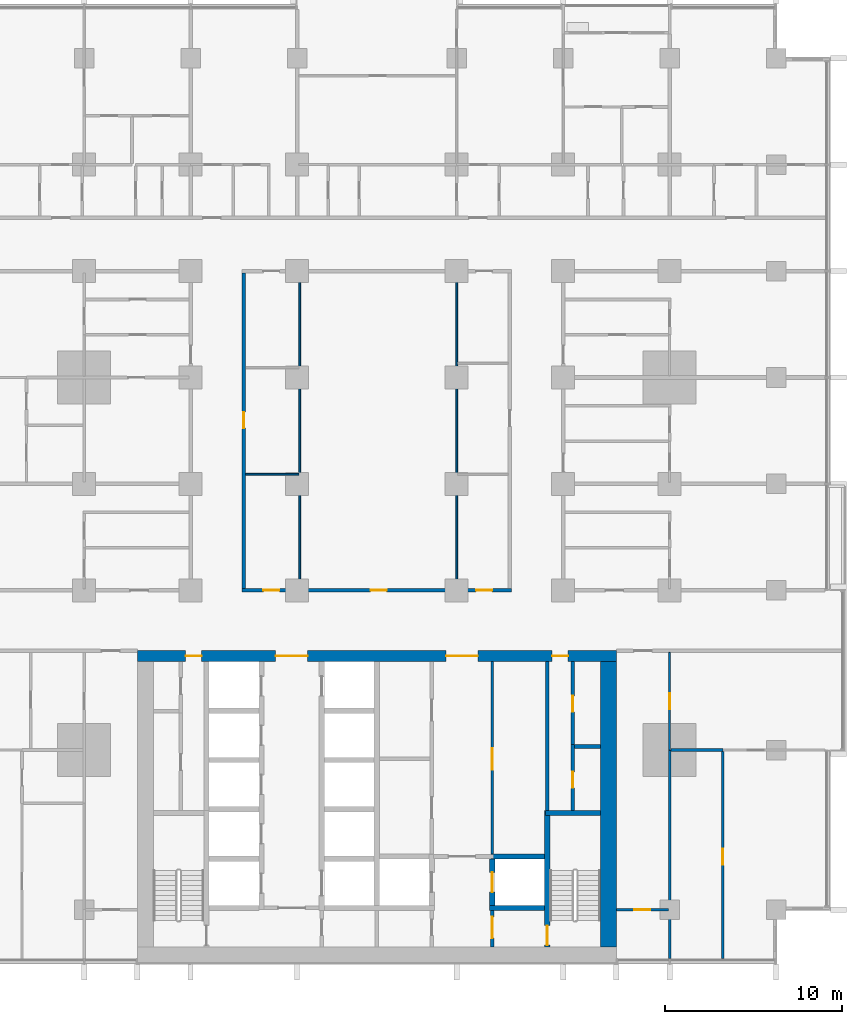
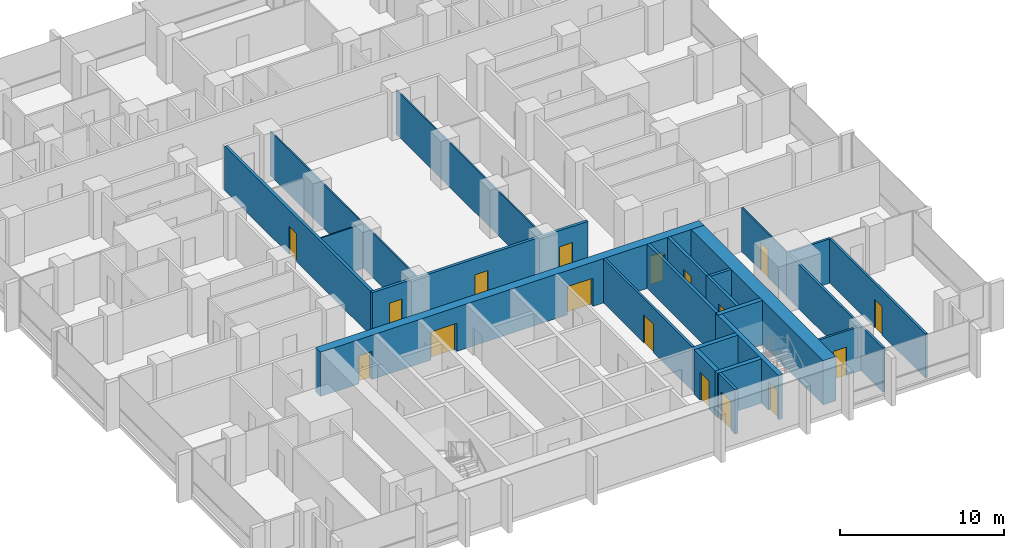
# One storey, part 9 of 18: 23 walls, 17 doors, 17 openings.
"""IFC4 building model written with IfcOpenShell, lengths in metres."""

from ifc_helpers import new_model, si_unit, direction, frame, frame_2d, origin, place, context, subcontext, project, spatial, rectangle, extrude, material, layer, layer_set, type_object, element, fill, save


model = new_model("IFC4")

# Units and contexts
model_context = context("Model", 3, precision=1e-05, world=origin(), true_north=direction((0.0, 1.0)))
body_context = subcontext(model_context, "Body", "Model", "MODEL_VIEW")
ifc_project = project(units=[si_unit("LENGTHUNIT", "METRE"), si_unit("AREAUNIT", "SQUARE_METRE"), si_unit("VOLUMEUNIT", "CUBIC_METRE"), si_unit("PLANEANGLEUNIT", "RADIAN"), si_unit("MASSUNIT", "GRAM", prefix="KILO")], contexts=[model_context])

# Site, building, storey
site_placement = place(None, origin())
site = spatial("IfcSite", under=ifc_project, at=site_placement, CompositionType="ELEMENT")
building_placement = place(site_placement, origin())
building = spatial("IfcBuilding", under=site, at=building_placement, Name="Finial Court Residences", CompositionType="ELEMENT")
storey_placement = place(building_placement, frame((0.0, 0.0, 46.89990234375)))
storey = spatial("IfcBuildingStorey", under=building, at=storey_placement, Name="L10", CompositionType="ELEMENT", Elevation=46.89990234375)

# Wall, openings, doors
ifc_material_1 = material(Name="Concrete C80/95", Category="concrete")
ifc_layer_1 = layer(ifc_material_1, 0.60009765625)
ifc_layer_set_1 = layer_set([ifc_layer_1], Name="Core outer wall 600 Concrete C80/95")
wall_type_1 = type_object("IfcWallType", Name="Core outer wall 600 Concrete C80/95", PredefinedType="SHEAR", material=ifc_layer_set_1)
wall_1_placement = place(storey_placement, frame((-13.5, -8.199951171875, 0.0), z_axis=(0.0, 0.0, 1.0), x_axis=(1.0, 0.0, 0.0)))
wall_1 = element("IfcWall", 1, at=wall_1_placement, inside=storey, type_object=wall_type_1, Name="Core outer wall L10-02", PredefinedType="SHEAR", context=body_context, shape_type="SweptSolid", body=[
    extrude(rectangle(XDim=27.0, YDim=0.60009765625, at=frame_2d((13.5, 0.0))), origin(), (0.0, 0.0, 1.0), 3.300048828125),
])
opening_1_placement = place(wall_1_placement, frame((7.800048828125, 0.0, 0.0)))
opening_1 = element("IfcOpeningElement", 2, at=opening_1_placement, cuts=wall_1, Name="Opening L10-C04", PredefinedType="OPENING", context=body_context, shape_type="SweptSolid", body=[
    extrude(rectangle(XDim=1.800048828125, YDim=2.10009765625, at=frame_2d((0.89990234375, 1.050048828125))), frame((0.0, 0.31005859375, 0.0), z_axis=(0.0, -1.0, 0.0), x_axis=(1.0, 0.0, 0.0)), (0.0, 0.0, 1.0), 0.6201171875),
])
opening_2_placement = place(wall_1_placement, frame((17.39990234375, 0.0, 0.0)))
opening_2 = element("IfcOpeningElement", 3, at=opening_2_placement, cuts=wall_1, Name="Opening L10-C05", PredefinedType="OPENING", context=body_context, shape_type="SweptSolid", body=[
    extrude(rectangle(XDim=1.800048828125, YDim=2.10009765625, at=frame_2d((0.89990234375, 1.050048828125))), frame((0.0, 0.31005859375, 0.0), z_axis=(0.0, -1.0, 0.0), x_axis=(1.0, 0.0, 0.0)), (0.0, 0.0, 1.0), 0.6201171875),
])
opening_3_placement = place(wall_1_placement, frame((2.72509765625, 0.0, 0.0)))
opening_3 = element("IfcOpeningElement", 4, at=opening_3_placement, cuts=wall_1, Name="Opening L10-C11", PredefinedType="OPENING", context=body_context, shape_type="SweptSolid", body=[
    extrude(rectangle(XDim=0.89990234375, YDim=2.10009765625, at=frame_2d((0.449951171875, 1.050048828125))), frame((0.0, 0.31005859375, 0.0), z_axis=(0.0, -1.0, 0.0), x_axis=(1.0, 0.0, 0.0)), (0.0, 0.0, 1.0), 0.6201171875),
])
opening_4_placement = place(wall_1_placement, frame((23.375, 0.0, 0.0)))
opening_4 = element("IfcOpeningElement", 5, at=opening_4_placement, cuts=wall_1, Name="Opening L10-C12", PredefinedType="OPENING", context=body_context, shape_type="SweptSolid", body=[
    extrude(rectangle(XDim=0.89990234375, YDim=2.10009765625, at=frame_2d((0.449951171875, 1.050048828125))), frame((0.0, 0.31005859375, 0.0), z_axis=(0.0, -1.0, 0.0), x_axis=(1.0, 0.0, 0.0)), (0.0, 0.0, 1.0), 0.6201171875),
])
ifc_material_2 = material(Name="Steel fire door", Category="steel")
door_type_1 = type_object("IfcDoorType", Name="Lift lobby door 1800 x 2100 EI 60", OperationType="DOUBLE_DOOR_SINGLE_SWING", PredefinedType="DOOR", material=ifc_material_2)
door_1_placement = place(opening_1_placement, origin())
door_1 = element("IfcDoor", 6, at=door_1_placement, inside=storey, type_object=door_type_1, Name="Lift lobby door L10-C04", OperationType="DOUBLE_DOOR_SINGLE_SWING", OverallHeight=2.10009765625, OverallWidth=1.800048828125, PredefinedType="DOOR", context=body_context, shape_type="SweptSolid", body=[
    extrude(rectangle(XDim=1.800048828125, YDim=2.10009765625, at=frame_2d((0.89990234375, 1.050048828125))), frame((0.0, 0.02490234375, 0.0), z_axis=(0.0, -1.0, 0.0), x_axis=(1.0, 0.0, 0.0)), (0.0, 0.0, 1.0), 0.050048828125),
])
fill(opening_1, door_1)
door_2_placement = place(opening_2_placement, origin())
door_2 = element("IfcDoor", 7, at=door_2_placement, inside=storey, type_object=door_type_1, Name="Lift lobby door L10-C05", OperationType="DOUBLE_DOOR_SINGLE_SWING", OverallHeight=2.10009765625, OverallWidth=1.800048828125, PredefinedType="DOOR", context=body_context, shape_type="SweptSolid", body=[
    extrude(rectangle(XDim=1.800048828125, YDim=2.10009765625, at=frame_2d((0.89990234375, 1.050048828125))), frame((0.0, 0.02490234375, 0.0), z_axis=(0.0, -1.0, 0.0), x_axis=(1.0, 0.0, 0.0)), (0.0, 0.0, 1.0), 0.050048828125),
])
fill(opening_2, door_2)
door_type_2 = type_object("IfcDoorType", Name="Riser room door 900 x 2100 EI 90", OperationType="NOTDEFINED", PredefinedType="DOOR", material=ifc_material_2)
door_3_placement = place(opening_3_placement, origin())
door_3 = element("IfcDoor", 8, at=door_3_placement, inside=storey, type_object=door_type_2, Name="Riser room door L10-C11", OperationType="SINGLE_SWING_RIGHT", OverallHeight=2.10009765625, OverallWidth=0.89990234375, PredefinedType="DOOR", context=body_context, shape_type="SweptSolid", body=[
    extrude(rectangle(XDim=0.89990234375, YDim=2.10009765625, at=frame_2d((0.449951171875, 1.050048828125))), frame((0.0, 0.02490234375, 0.0), z_axis=(0.0, -1.0, 0.0), x_axis=(1.0, 0.0, 0.0)), (0.0, 0.0, 1.0), 0.050048828125),
])
fill(opening_3, door_3)
door_4_placement = place(opening_4_placement, origin())
door_4 = element("IfcDoor", 9, at=door_4_placement, inside=storey, type_object=door_type_2, Name="Riser room door L10-C12", OperationType="SINGLE_SWING_LEFT", OverallHeight=2.10009765625, OverallWidth=0.89990234375, PredefinedType="DOOR", context=body_context, shape_type="SweptSolid", body=[
    extrude(rectangle(XDim=0.89990234375, YDim=2.10009765625, at=frame_2d((0.449951171875, 1.050048828125))), frame((0.0, 0.02490234375, 0.0), z_axis=(0.0, -1.0, 0.0), x_axis=(1.0, 0.0, 0.0)), (0.0, 0.0, 1.0), 0.050048828125),
])
fill(opening_4, door_4)

# Wall
ifc_layer_2 = layer(ifc_material_1, 0.89990234375)
ifc_layer_set_2 = layer_set([ifc_layer_2], Name="Core outer wall 900 Concrete C80/95")
wall_type_2 = type_object("IfcWallType", Name="Core outer wall 900 Concrete C80/95", PredefinedType="SHEAR", material=ifc_layer_set_2)
wall_2_placement = place(storey_placement, frame((13.050048828125, -24.60009765625, 0.0), z_axis=(0.0, 0.0, 1.0), x_axis=(0.0, 1.0, 0.0)))
element("IfcWall", 10, at=wall_2_placement, inside=storey, type_object=wall_type_2, Name="Core outer wall L10-04", PredefinedType="SHEAR", context=body_context, shape_type="SweptSolid", body=[
    extrude(rectangle(XDim=16.10009765625, YDim=0.89990234375, at=frame_2d((8.050048828125, 0.0))), origin(), (0.0, 0.0, 1.0), 3.300048828125),
])

# Wall, opening, door
ifc_material_3 = material(Name="Fire-rated gypsum board partition")
ifc_layer_3 = layer(ifc_material_3, 0.14990234375)
ifc_layer_set_3 = layer_set([ifc_layer_3], Name="Core room partition 150 EI 60")
wall_type_3 = type_object("IfcWallType", Name="Core room partition 150 EI 60", PredefinedType="PARTITIONING", material=ifc_layer_set_3)
wall_3_placement = place(storey_placement, frame((6.5, -8.5, 0.0), z_axis=(0.0, 0.0, 1.0), x_axis=(0.0, -1.0, 0.0)))
wall_3 = element("IfcWall", 11, at=wall_3_placement, inside=storey, type_object=wall_type_3, Name="Core partition L10-35", PredefinedType="PARTITIONING", context=body_context, shape_type="SweptSolid", body=[
    extrude(rectangle(XDim=10.85009765625, YDim=0.14990234375, at=frame_2d((5.425048828125, 0.0))), origin(), (0.0, 0.0, 1.0), 3.300048828125),
])
opening_5_placement = place(wall_3_placement, frame((4.89990234375, 0.0, 0.0)))
opening_5 = element("IfcOpeningElement", 12, at=opening_5_placement, cuts=wall_3, Name="Opening L10-C16", PredefinedType="OPENING", context=body_context, shape_type="SweptSolid", body=[
    extrude(rectangle(XDim=1.199951171875, YDim=2.10009765625, at=frame_2d((0.60009765625, 1.050048828125))), frame((0.0, 0.0849609375, 0.0), z_axis=(0.0, -1.0, 0.0), x_axis=(1.0, 0.0, 0.0)), (0.0, 0.0, 1.0), 0.169921875),
])
door_type_3 = type_object("IfcDoorType", Name="Core room door 1200 x 2100 EI 60", OperationType="NOTDEFINED", PredefinedType="DOOR", material=ifc_material_2)
door_5_placement = place(opening_5_placement, origin())
door_5 = element("IfcDoor", 13, at=door_5_placement, inside=storey, type_object=door_type_3, Name="Core room door L10-C16", OperationType="SINGLE_SWING_RIGHT", OverallHeight=2.10009765625, OverallWidth=1.199951171875, PredefinedType="DOOR", context=body_context, shape_type="SweptSolid", body=[
    extrude(rectangle(XDim=1.199951171875, YDim=2.10009765625, at=frame_2d((0.60009765625, 1.050048828125))), frame((0.0, 0.02490234375, 0.0), z_axis=(0.0, -1.0, 0.0), x_axis=(1.0, 0.0, 0.0)), (0.0, 0.0, 1.0), 0.050048828125),
])
fill(opening_5, door_5)

# Wall, openings, doors
ifc_material_4 = material(Name="Gypsum board")
ifc_layer_4 = layer(ifc_material_4, 0.02490234375)
ifc_material_5 = material(Name="Acoustic mineral wool in double frame")
ifc_layer_5 = layer(ifc_material_5, 0.14990234375)
ifc_layer_6 = layer(ifc_material_4, 0.02490234375)
ifc_layer_set_4 = layer_set([ifc_layer_4, ifc_layer_5, ifc_layer_6], Name="Corridor wall 200, 1 hour")
wall_type_4 = type_object("IfcWallType", Name="Corridor wall 200, 1 hour", PredefinedType="PARTITIONING", material=ifc_layer_set_4)
wall_4_placement = place(storey_placement, frame((-7.60009765625, -4.5, 0.0), z_axis=(0.0, 0.0, 1.0), x_axis=(1.0, 0.0, 0.0)))
wall_4 = element("IfcWall", 14, at=wall_4_placement, inside=storey, type_object=wall_type_4, Name="Partition L10-010", PredefinedType="PARTITIONING", context=body_context, shape_type="SweptSolid", body=[
    extrude(rectangle(XDim=15.2001953125, YDim=0.199951171875, at=frame_2d((7.60009765625, 0.0))), origin(), (0.0, 0.0, 1.0), 3.300048828125),
])
opening_6_placement = place(wall_4_placement, frame((1.199951171875, 0.0, 0.0)))
opening_6 = element("IfcOpeningElement", 15, at=opening_6_placement, cuts=wall_4, Name="Opening L10-D008", PredefinedType="OPENING", context=body_context, shape_type="SweptSolid", body=[
    extrude(rectangle(XDim=0.89990234375, YDim=2.10009765625, at=frame_2d((0.449951171875, 1.050048828125))), frame((0.0, 0.10986328125, 0.0), z_axis=(0.0, -1.0, 0.0), x_axis=(1.0, 0.0, 0.0)), (0.0, 0.0, 1.0), 0.219970703125),
])
opening_7_placement = place(wall_4_placement, frame((7.25, 0.0, 0.0)))
opening_7 = element("IfcOpeningElement", 16, at=opening_7_placement, cuts=wall_4, Name="Opening L10-D009", PredefinedType="OPENING", context=body_context, shape_type="SweptSolid", body=[
    extrude(rectangle(XDim=0.89990234375, YDim=2.10009765625, at=frame_2d((0.449951171875, 1.050048828125))), frame((0.0, 0.10986328125, 0.0), z_axis=(0.0, -1.0, 0.0), x_axis=(1.0, 0.0, 0.0)), (0.0, 0.0, 1.0), 0.219970703125),
])
opening_8_placement = place(wall_4_placement, frame((13.199951171875, 0.0, 0.0)))
opening_8 = element("IfcOpeningElement", 17, at=opening_8_placement, cuts=wall_4, Name="Opening L10-D010", PredefinedType="OPENING", context=body_context, shape_type="SweptSolid", body=[
    extrude(rectangle(XDim=0.89990234375, YDim=2.10009765625, at=frame_2d((0.449951171875, 1.050048828125))), frame((0.0, 0.10986328125, 0.0), z_axis=(0.0, -1.0, 0.0), x_axis=(1.0, 0.0, 0.0)), (0.0, 0.0, 1.0), 0.219970703125),
])
ifc_material_6 = material(Name="Timber door leaf in hollow metal frame", Category="wood")
door_type_4 = type_object("IfcDoorType", Name="Fire door set 900 x 2100, 30 minutes", OperationType="SINGLE_SWING_LEFT", PredefinedType="DOOR", material=ifc_material_6)
door_6_placement = place(opening_6_placement, origin())
door_6 = element("IfcDoor", 18, at=door_6_placement, inside=storey, type_object=door_type_4, Name="Door L10-D008", OperationType="SINGLE_SWING_RIGHT", OverallHeight=2.10009765625, OverallWidth=0.89990234375, PredefinedType="DOOR", context=body_context, shape_type="SweptSolid", body=[
    extrude(rectangle(XDim=0.89990234375, YDim=2.10009765625, at=frame_2d((0.449951171875, 1.050048828125))), frame((0.0, 0.02490234375, 0.0), z_axis=(0.0, -1.0, 0.0), x_axis=(1.0, 0.0, 0.0)), (0.0, 0.0, 1.0), 0.050048828125),
])
fill(opening_6, door_6)
door_7_placement = place(opening_7_placement, origin())
door_7 = element("IfcDoor", 19, at=door_7_placement, inside=storey, type_object=door_type_4, Name="Door L10-D009", OperationType="SINGLE_SWING_RIGHT", OverallHeight=2.10009765625, OverallWidth=0.89990234375, PredefinedType="DOOR", context=body_context, shape_type="SweptSolid", body=[
    extrude(rectangle(XDim=0.89990234375, YDim=2.10009765625, at=frame_2d((0.449951171875, 1.050048828125))), frame((0.0, 0.02490234375, 0.0), z_axis=(0.0, -1.0, 0.0), x_axis=(1.0, 0.0, 0.0)), (0.0, 0.0, 1.0), 0.050048828125),
])
fill(opening_7, door_7)
door_8_placement = place(opening_8_placement, origin())
door_8 = element("IfcDoor", 20, at=door_8_placement, inside=storey, type_object=door_type_4, Name="Door L10-D010", OperationType="SINGLE_SWING_LEFT", OverallHeight=2.10009765625, OverallWidth=0.89990234375, PredefinedType="DOOR", context=body_context, shape_type="SweptSolid", body=[
    extrude(rectangle(XDim=0.89990234375, YDim=2.10009765625, at=frame_2d((0.449951171875, 1.050048828125))), frame((0.0, 0.02490234375, 0.0), z_axis=(0.0, -1.0, 0.0), x_axis=(1.0, 0.0, 0.0)), (0.0, 0.0, 1.0), 0.050048828125),
])
fill(opening_8, door_8)

# Wall, opening, door
wall_5_placement = place(storey_placement, frame((-7.5, -4.39990234375, 0.0), z_axis=(0.0, 0.0, 1.0), x_axis=(0.0, 1.0, 0.0)))
wall_5 = element("IfcWall", 21, at=wall_5_placement, inside=storey, type_object=wall_type_4, Name="Partition L10-080", PredefinedType="PARTITIONING", context=body_context, shape_type="SweptSolid", body=[
    extrude(rectangle(XDim=17.7998046875, YDim=0.199951171875, at=frame_2d((8.89990234375, 0.0))), origin(), (0.0, 0.0, 1.0), 3.300048828125),
])
opening_9_placement = place(wall_5_placement, frame((9.050048828125, 0.0, 0.0)))
opening_9 = element("IfcOpeningElement", 22, at=opening_9_placement, cuts=wall_5, Name="Opening L10-D050", PredefinedType="OPENING", context=body_context, shape_type="SweptSolid", body=[
    extrude(rectangle(XDim=0.89990234375, YDim=2.10009765625, at=frame_2d((0.449951171875, 1.050048828125))), frame((0.0, 0.10986328125, 0.0), z_axis=(0.0, -1.0, 0.0), x_axis=(1.0, 0.0, 0.0)), (0.0, 0.0, 1.0), 0.219970703125),
])
door_9_placement = place(opening_9_placement, origin())
door_9 = element("IfcDoor", 23, at=door_9_placement, inside=storey, type_object=door_type_4, Name="Door L10-D050", OperationType="SINGLE_SWING_RIGHT", OverallHeight=2.10009765625, OverallWidth=0.89990234375, PredefinedType="DOOR", context=body_context, shape_type="SweptSolid", body=[
    extrude(rectangle(XDim=0.89990234375, YDim=2.10009765625, at=frame_2d((0.449951171875, 1.050048828125))), frame((0.0, 0.02490234375, 0.0), z_axis=(0.0, -1.0, 0.0), x_axis=(1.0, 0.0, 0.0)), (0.0, 0.0, 1.0), 0.050048828125),
])
fill(opening_9, door_9)

ifc_layer_7 = layer(ifc_material_3, 0.199951171875)
ifc_layer_set_5 = layer_set([ifc_layer_7], Name="Firefighting lobby wall 200 EI 120")
wall_type_5 = type_object("IfcWallType", Name="Firefighting lobby wall 200 EI 120", PredefinedType="PARTITIONING", material=ifc_layer_set_5)
wall_6_placement = place(storey_placement, frame((6.5, -22.550048828125, 0.0), z_axis=(0.0, 0.0, 1.0), x_axis=(0.0, -1.0, 0.0)))
wall_6 = element("IfcWall", 24, at=wall_6_placement, inside=storey, type_object=wall_type_5, Name="Core partition L10-33", PredefinedType="PARTITIONING", context=body_context, shape_type="SweptSolid", body=[
    extrude(rectangle(XDim=2.050048828125, YDim=0.199951171875, at=frame_2d((1.02490234375, 0.0))), origin(), (0.0, 0.0, 1.0), 3.300048828125),
])
opening_10_placement = place(wall_6_placement, frame((0.35009765625, 0.0, 0.0)))
opening_10 = element("IfcOpeningElement", 25, at=opening_10_placement, cuts=wall_6, Name="Opening L10-C01", PredefinedType="OPENING", context=body_context, shape_type="SweptSolid", body=[
    extrude(rectangle(XDim=1.199951171875, YDim=2.10009765625, at=frame_2d((0.60009765625, 1.050048828125))), frame((0.0, 0.10986328125, 0.0), z_axis=(0.0, -1.0, 0.0), x_axis=(1.0, 0.0, 0.0)), (0.0, 0.0, 1.0), 0.219970703125),
])
door_type_5 = type_object("IfcDoorType", Name="Firefighting lobby door 1200 x 2100 EI 90", OperationType="NOTDEFINED", PredefinedType="DOOR", material=ifc_material_2)
door_10_placement = place(opening_10_placement, origin())
door_10 = element("IfcDoor", 26, at=door_10_placement, inside=storey, type_object=door_type_5, Name="Firefighting lobby door L10-C01", OperationType="SINGLE_SWING_RIGHT", OverallHeight=2.10009765625, OverallWidth=1.199951171875, PredefinedType="DOOR", context=body_context, shape_type="SweptSolid", body=[
    extrude(rectangle(XDim=1.199951171875, YDim=2.10009765625, at=frame_2d((0.60009765625, 1.050048828125))), frame((0.0, 0.02490234375, 0.0), z_axis=(0.0, -1.0, 0.0), x_axis=(1.0, 0.0, 0.0)), (0.0, 0.0, 1.0), 0.050048828125),
])
fill(opening_10, door_10)

# Walls
ifc_layer_8 = layer(ifc_material_4, 0.012451171875)
ifc_material_7 = material(Name="Mineral wool in light-gauge frame")
ifc_layer_9 = layer(ifc_material_7, 0.074951171875)
ifc_layer_10 = layer(ifc_material_4, 0.012451171875)
ifc_layer_set_6 = layer_set([ifc_layer_8, ifc_layer_9, ifc_layer_10], Name="Gypsum board partition 100")
wall_type_6 = type_object("IfcWallType", Name="Gypsum board partition 100", PredefinedType="PARTITIONING", material=ifc_layer_set_6)
wall_7_placement = place(storey_placement, frame((-7.39990234375, 2.050048828125, 0.0), z_axis=(0.0, 0.0, 1.0), x_axis=(1.0, 0.0, 0.0)))
element("IfcWall", 27, at=wall_7_placement, inside=storey, type_object=wall_type_6, Name="Partition L10-018", PredefinedType="PARTITIONING", context=body_context, shape_type="SweptSolid", body=[
    extrude(rectangle(XDim=3.0, YDim=0.10009765625, at=frame_2d((1.5, 0.0))), origin(), (0.0, 0.0, 1.0), 3.300048828125),
])
for number, where, z_axis, x_axis, name in (
    (28, (-4.35009765625, -4.39990234375, 0.0), (0.0, 0.0, 1.0), (0.0, 1.0, 0.0), "Partition L10-083"),
    (29, (4.5, -4.39990234375, 0.0), (0.0, 0.0, 1.0), (0.0, 1.0, 0.0), "Partition L10-086"),
):
    element("IfcWall", number, at=place(storey_placement, frame(where, z_axis=z_axis, x_axis=x_axis)), inside=storey, type_object=wall_type_6, Name=name, PredefinedType="PARTITIONING", context=body_context, shape_type="SweptSolid", body=[
        extrude(rectangle(XDim=17.7998046875, YDim=0.10009765625, at=frame_2d((8.89990234375, 0.0))), origin(), (0.0, 0.0, 1.0), 3.300048828125),
    ])

# Wall, opening, door
wall_8_placement = place(storey_placement, frame((16.5, -13.5, 0.0), z_axis=(0.0, 0.0, 1.0), x_axis=(0.0, 1.0, 0.0)))
wall_8 = element("IfcWall", 30, at=wall_8_placement, inside=storey, type_object=wall_type_6, Name="Partition L10-096", PredefinedType="PARTITIONING", context=body_context, shape_type="SweptSolid", body=[
    extrude(rectangle(XDim=5.5, YDim=0.10009765625, at=frame_2d((2.75, 0.0))), origin(), (0.0, 0.0, 1.0), 3.300048828125),
])
opening_11_placement = place(wall_8_placement, frame((2.300048828125, 0.0, 0.0)))
opening_11 = element("IfcOpeningElement", 31, at=opening_11_placement, cuts=wall_8, Name="Opening L10-D062", PredefinedType="OPENING", context=body_context, shape_type="SweptSolid", body=[
    extrude(rectangle(XDim=0.89990234375, YDim=2.10009765625, at=frame_2d((0.449951171875, 1.050048828125))), frame((0.0, 0.06005859375, 0.0), z_axis=(0.0, -1.0, 0.0), x_axis=(1.0, 0.0, 0.0)), (0.0, 0.0, 1.0), 0.1201171875),
])
ifc_material_8 = material(Name="Timber door leaf in timber frame", Category="wood")
door_type_6 = type_object("IfcDoorType", Name="Door set 900 x 2100", OperationType="SINGLE_SWING_LEFT", PredefinedType="DOOR", material=ifc_material_8)
door_11_placement = place(opening_11_placement, origin())
door_11 = element("IfcDoor", 32, at=door_11_placement, inside=storey, type_object=door_type_6, Name="Door L10-D062", OperationType="SINGLE_SWING_LEFT", OverallHeight=2.10009765625, OverallWidth=0.89990234375, PredefinedType="DOOR", context=body_context, shape_type="SweptSolid", body=[
    extrude(rectangle(XDim=0.89990234375, YDim=2.10009765625, at=frame_2d((0.449951171875, 1.050048828125))), frame((0.0, 0.02490234375, 0.0), z_axis=(0.0, -1.0, 0.0), x_axis=(1.0, 0.0, 0.0)), (0.0, 0.0, 1.0), 0.050048828125),
])
fill(opening_11, door_11)

ifc_material_9 = material(Name="Moisture-resistant gypsum board")
ifc_layer_11 = layer(ifc_material_9, 0.012451171875)
ifc_layer_12 = layer(ifc_material_7, 0.125)
ifc_layer_13 = layer(ifc_material_9, 0.012451171875)
ifc_layer_set_7 = layer_set([ifc_layer_11, ifc_layer_12, ifc_layer_13], Name="Gypsum board wet-area partition 150")
wall_type_7 = type_object("IfcWallType", Name="Gypsum board wet-area partition 150", PredefinedType="PARTITIONING", material=ifc_layer_set_7)
wall_9_placement = place(storey_placement, frame((13.5, -22.5, 0.0), z_axis=(0.0, 0.0, 1.0), x_axis=(1.0, 0.0, 0.0)))
wall_9 = element("IfcWall", 33, at=wall_9_placement, inside=storey, type_object=wall_type_7, Name="Partition L10-001", PredefinedType="PARTITIONING", context=body_context, shape_type="SweptSolid", body=[
    extrude(rectangle(XDim=2.925048828125, YDim=0.14990234375, at=frame_2d((1.46240234375, 0.0))), origin(), (0.0, 0.0, 1.0), 3.300048828125),
])
opening_12_placement = place(wall_9_placement, frame((1.0, 0.0, 0.0)))
opening_12 = element("IfcOpeningElement", 34, at=opening_12_placement, cuts=wall_9, Name="Opening L10-D002", PredefinedType="OPENING", context=body_context, shape_type="SweptSolid", body=[
    extrude(rectangle(XDim=0.89990234375, YDim=2.10009765625, at=frame_2d((0.449951171875, 1.050048828125))), frame((0.0, 0.0849609375, 0.0), z_axis=(0.0, -1.0, 0.0), x_axis=(1.0, 0.0, 0.0)), (0.0, 0.0, 1.0), 0.169921875),
])
door_12_placement = place(opening_12_placement, origin())
door_12 = element("IfcDoor", 35, at=door_12_placement, inside=storey, type_object=door_type_6, Name="Door L10-D002", OperationType="SINGLE_SWING_LEFT", OverallHeight=2.10009765625, OverallWidth=0.89990234375, PredefinedType="DOOR", context=body_context, shape_type="SweptSolid", body=[
    extrude(rectangle(XDim=0.89990234375, YDim=2.10009765625, at=frame_2d((0.449951171875, 1.050048828125))), frame((0.0, 0.02490234375, 0.0), z_axis=(0.0, -1.0, 0.0), x_axis=(1.0, 0.0, 0.0)), (0.0, 0.0, 1.0), 0.050048828125),
])
fill(opening_12, door_12)

# Walls
wall_10_placement = place(storey_placement, frame((16.574951171875, -13.5, 0.0), z_axis=(0.0, 0.0, 1.0), x_axis=(1.0, 0.0, 0.0)))
element("IfcWall", 36, at=wall_10_placement, inside=storey, type_object=wall_type_7, Name="Partition L10-006", PredefinedType="PARTITIONING", context=body_context, shape_type="SweptSolid", body=[
    extrude(rectangle(XDim=2.925048828125, YDim=0.14990234375, at=frame_2d((1.46240234375, 0.0))), origin(), (0.0, 0.0, 1.0), 3.300048828125),
])
wall_11_placement = place(storey_placement, frame((16.5, -25.25, 0.0), z_axis=(0.0, 0.0, 1.0), x_axis=(0.0, 1.0, 0.0)))
element("IfcWall", 37, at=wall_11_placement, inside=storey, type_object=wall_type_7, Name="Partition L10-102", PredefinedType="PARTITIONING", context=body_context, shape_type="SweptSolid", body=[
    extrude(rectangle(XDim=11.75, YDim=0.14990234375, at=frame_2d((5.875, 0.0))), origin(), (0.0, 0.0, 1.0), 3.300048828125),
])

# Wall, opening, door
wall_12_placement = place(storey_placement, frame((19.5, -25.25, 0.0), z_axis=(0.0, 0.0, 1.0), x_axis=(0.0, 1.0, 0.0)))
wall_12 = element("IfcWall", 38, at=wall_12_placement, inside=storey, type_object=wall_type_7, Name="Partition L10-107", PredefinedType="PARTITIONING", context=body_context, shape_type="SweptSolid", body=[
    extrude(rectangle(XDim=11.675048828125, YDim=0.14990234375, at=frame_2d((5.83740234375, 0.0))), origin(), (0.0, 0.0, 1.0), 3.300048828125),
])
opening_13_placement = place(wall_12_placement, frame((5.300048828125, 0.0, 0.0)))
opening_13 = element("IfcOpeningElement", 39, at=opening_13_placement, cuts=wall_12, Name="Opening L10-D069", PredefinedType="OPENING", context=body_context, shape_type="SweptSolid", body=[
    extrude(rectangle(XDim=0.89990234375, YDim=2.10009765625, at=frame_2d((0.449951171875, 1.050048828125))), frame((0.0, 0.0849609375, 0.0), z_axis=(0.0, -1.0, 0.0), x_axis=(1.0, 0.0, 0.0)), (0.0, 0.0, 1.0), 0.169921875),
])
door_13_placement = place(opening_13_placement, origin())
door_13 = element("IfcDoor", 40, at=door_13_placement, inside=storey, type_object=door_type_6, Name="Door L10-D069", OperationType="SINGLE_SWING_RIGHT", OverallHeight=2.10009765625, OverallWidth=0.89990234375, PredefinedType="DOOR", context=body_context, shape_type="SweptSolid", body=[
    extrude(rectangle(XDim=0.89990234375, YDim=2.10009765625, at=frame_2d((0.449951171875, 1.050048828125))), frame((0.0, 0.02490234375, 0.0), z_axis=(0.0, -1.0, 0.0), x_axis=(1.0, 0.0, 0.0)), (0.0, 0.0, 1.0), 0.050048828125),
])
fill(opening_13, door_13)

# Walls
ifc_layer_14 = layer(ifc_material_1, 0.300048828125)
ifc_layer_set_8 = layer_set([ifc_layer_14], Name="Lift shaft and stair wall 300 Concrete C80/95")
wall_type_8 = type_object("IfcWallType", Name="Lift shaft and stair wall 300 Concrete C80/95", PredefinedType="SHEAR", material=ifc_layer_set_8)
wall_13_placement = place(storey_placement, frame((6.35009765625, -22.39990234375, 0.0), z_axis=(0.0, 0.0, 1.0), x_axis=(1.0, 0.0, 0.0)))
element("IfcWall", 41, at=wall_13_placement, inside=storey, type_object=wall_type_8, Name="Core wall L10-04", PredefinedType="SHEAR", context=body_context, shape_type="SweptSolid", body=[
    extrude(rectangle(XDim=3.099853515625, YDim=0.300048828125, at=frame_2d((1.5498046875, 0.0))), origin(), (0.0, 0.0, 1.0), 3.300048828125),
])
wall_14_placement = place(storey_placement, frame((6.425048828125, -19.5, 0.0), z_axis=(0.0, 0.0, 1.0), x_axis=(1.0, 0.0, 0.0)))
element("IfcWall", 42, at=wall_14_placement, inside=storey, type_object=wall_type_8, Name="Core wall L10-09", PredefinedType="SHEAR", context=body_context, shape_type="SweptSolid", body=[
    extrude(rectangle(XDim=3.02490234375, YDim=0.300048828125, at=frame_2d((1.512451171875, 0.0))), origin(), (0.0, 0.0, 1.0), 3.300048828125),
])
wall_15_placement = place(storey_placement, frame((9.5, -17.050048828125, 0.0), z_axis=(0.0, 0.0, 1.0), x_axis=(1.0, 0.0, 0.0)))
element("IfcWall", 43, at=wall_15_placement, inside=storey, type_object=wall_type_8, Name="Core wall L10-11", PredefinedType="SHEAR", context=body_context, shape_type="SweptSolid", body=[
    extrude(rectangle(XDim=3.10009765625, YDim=0.300048828125, at=frame_2d((1.550048828125, 0.0))), origin(), (0.0, 0.0, 1.0), 3.300048828125),
])

# Wall, opening, door
wall_16_placement = place(storey_placement, frame((6.5, -22.25, 0.0), z_axis=(0.0, 0.0, 1.0), x_axis=(0.0, 1.0, 0.0)))
wall_16 = element("IfcWall", 44, at=wall_16_placement, inside=storey, type_object=wall_type_8, Name="Core wall L10-34", PredefinedType="SHEAR", context=body_context, shape_type="SweptSolid", body=[
    extrude(rectangle(XDim=2.60009765625, YDim=0.300048828125, at=frame_2d((1.300048828125, 0.0))), origin(), (0.0, 0.0, 1.0), 3.300048828125),
])
opening_14_placement = place(wall_16_placement, frame((0.75, 0.0, 0.0)))
opening_14 = element("IfcOpeningElement", 45, at=opening_14_placement, cuts=wall_16, Name="Opening L10-LD02", PredefinedType="OPENING", context=body_context, shape_type="SweptSolid", body=[
    extrude(rectangle(XDim=1.10009765625, YDim=2.10009765625, at=frame_2d((0.550048828125, 1.050048828125))), frame((0.0, 0.159912109375, 0.0), z_axis=(0.0, -1.0, 0.0), x_axis=(1.0, 0.0, 0.0)), (0.0, 0.0, 1.0), 0.320068359375),
])
ifc_material_10 = material(Name="Stainless steel lift door", Category="steel")
door_type_7 = type_object("IfcDoorType", Name="Lift landing door 1100 x 2100 EI 90", OperationType="DOUBLE_DOOR_SLIDING", PredefinedType="DOOR", material=ifc_material_10)
door_14_placement = place(opening_14_placement, origin())
door_14 = element("IfcDoor", 46, at=door_14_placement, inside=storey, type_object=door_type_7, Name="Lift landing door FF2 L10", OperationType="DOUBLE_DOOR_SLIDING", OverallHeight=2.10009765625, OverallWidth=1.10009765625, PredefinedType="DOOR", context=body_context, shape_type="SweptSolid", body=[
    extrude(rectangle(XDim=1.10009765625, YDim=2.10009765625, at=frame_2d((0.550048828125, 1.050048828125))), frame((0.0, 0.02490234375, 0.0), z_axis=(0.0, -1.0, 0.0), x_axis=(1.0, 0.0, 0.0)), (0.0, 0.0, 1.0), 0.050048828125),
])
fill(opening_14, door_14)

wall_17_placement = place(storey_placement, frame((9.60009765625, -16.89990234375, 0.0), z_axis=(0.0, 0.0, 1.0), x_axis=(0.0, -1.0, 0.0)))
wall_17 = element("IfcWall", 47, at=wall_17_placement, inside=storey, type_object=wall_type_8, Name="Core wall L10-36", PredefinedType="SHEAR", context=body_context, shape_type="SweptSolid", body=[
    extrude(rectangle(XDim=7.7001953125, YDim=0.300048828125, at=frame_2d((3.85009765625, 0.0))), origin(), (0.0, 0.0, 1.0), 3.300048828125),
])
opening_15_placement = place(wall_17_placement, frame((6.5, 0.0, 0.0)))
opening_15 = element("IfcOpeningElement", 48, at=opening_15_placement, cuts=wall_17, Name="Opening L10-C18", PredefinedType="OPENING", context=body_context, shape_type="SweptSolid", body=[
    extrude(rectangle(XDim=1.10009765625, YDim=2.10009765625, at=frame_2d((0.550048828125, 1.050048828125))), frame((0.0, 0.159912109375, 0.0), z_axis=(0.0, -1.0, 0.0), x_axis=(1.0, 0.0, 0.0)), (0.0, 0.0, 1.0), 0.320068359375),
])
door_type_8 = type_object("IfcDoorType", Name="Stair door 1100 x 2100 EI 90", OperationType="NOTDEFINED", PredefinedType="DOOR", material=ifc_material_2)
door_15_placement = place(opening_15_placement, origin())
door_15 = element("IfcDoor", 49, at=door_15_placement, inside=storey, type_object=door_type_8, Name="Stair door L10-C18", OperationType="SINGLE_SWING_RIGHT", OverallHeight=2.10009765625, OverallWidth=1.10009765625, PredefinedType="DOOR", context=body_context, shape_type="SweptSolid", body=[
    extrude(rectangle(XDim=1.10009765625, YDim=2.10009765625, at=frame_2d((0.550048828125, 1.050048828125))), frame((0.0, 0.02490234375, 0.0), z_axis=(0.0, -1.0, 0.0), x_axis=(1.0, 0.0, 0.0)), (0.0, 0.0, 1.0), 0.050048828125),
])
fill(opening_15, door_15)

# Wall
ifc_layer_15 = layer(ifc_material_3, 0.199951171875)
ifc_layer_set_9 = layer_set([ifc_layer_15], Name="Riser room wall 200 EI 120")
wall_type_9 = type_object("IfcWallType", Name="Riser room wall 200 EI 120", PredefinedType="PARTITIONING", material=ifc_layer_set_9)
wall_18_placement = place(storey_placement, frame((11.14990234375, -13.300048828125, 0.0), z_axis=(0.0, 0.0, 1.0), x_axis=(1.0, 0.0, 0.0)))
element("IfcWall", 50, at=wall_18_placement, inside=storey, type_object=wall_type_9, Name="Core partition L10-17", PredefinedType="PARTITIONING", context=body_context, shape_type="SweptSolid", body=[
    extrude(rectangle(XDim=1.4501953125, YDim=0.199951171875, at=frame_2d((0.72509765625, 0.0))), origin(), (0.0, 0.0, 1.0), 3.300048828125),
])

# Wall, opening, door
wall_19_placement = place(storey_placement, frame((11.050048828125, -8.5, 0.0), z_axis=(0.0, 0.0, 1.0), x_axis=(0.0, -1.0, 0.0)))
wall_19 = element("IfcWall", 51, at=wall_19_placement, inside=storey, type_object=wall_type_9, Name="Core partition L10-39", PredefinedType="PARTITIONING", context=body_context, shape_type="SweptSolid", body=[
    extrude(rectangle(XDim=4.89990234375, YDim=0.199951171875, at=frame_2d((2.449951171875, 0.0))), origin(), (0.0, 0.0, 1.0), 3.300048828125),
])
opening_16_placement = place(wall_19_placement, frame((1.949951171875, 0.0, 0.0)))
opening_16 = element("IfcOpeningElement", 52, at=opening_16_placement, cuts=wall_19, Name="Opening L10-C08", PredefinedType="OPENING", context=body_context, shape_type="SweptSolid", body=[
    extrude(rectangle(XDim=0.89990234375, YDim=2.10009765625, at=frame_2d((0.449951171875, 1.050048828125))), frame((0.0, 0.10986328125, 0.0), z_axis=(0.0, -1.0, 0.0), x_axis=(1.0, 0.0, 0.0)), (0.0, 0.0, 1.0), 0.219970703125),
])
door_16_placement = place(opening_16_placement, origin())
door_16 = element("IfcDoor", 53, at=door_16_placement, inside=storey, type_object=door_type_2, Name="Riser room door L10-C08", OperationType="SINGLE_SWING_RIGHT", OverallHeight=2.10009765625, OverallWidth=0.89990234375, PredefinedType="DOOR", context=body_context, shape_type="SweptSolid", body=[
    extrude(rectangle(XDim=0.89990234375, YDim=2.10009765625, at=frame_2d((0.449951171875, 1.050048828125))), frame((0.0, 0.02490234375, 0.0), z_axis=(0.0, -1.0, 0.0), x_axis=(1.0, 0.0, 0.0)), (0.0, 0.0, 1.0), 0.050048828125),
])
fill(opening_16, door_16)

# Wall
ifc_layer_16 = layer(ifc_material_3, 0.199951171875)
ifc_layer_set_10 = layer_set([ifc_layer_16], Name="Stair passage wall 200 EI 180")
wall_type_10 = type_object("IfcWallType", Name="Stair passage wall 200 EI 180", PredefinedType="PARTITIONING", material=ifc_layer_set_10)
wall_20_placement = place(storey_placement, frame((9.60009765625, -16.89990234375, 0.0), z_axis=(0.0, 0.0, 1.0), x_axis=(0.0, 1.0, 0.0)))
element("IfcWall", 54, at=wall_20_placement, inside=storey, type_object=wall_type_10, Name="Core partition L10-37", PredefinedType="PARTITIONING", context=body_context, shape_type="SweptSolid", body=[
    extrude(rectangle(XDim=8.39990234375, YDim=0.199951171875, at=frame_2d((4.199951171875, 0.0))), origin(), (0.0, 0.0, 1.0), 3.300048828125),
])

# Wall, opening, door
wall_21_placement = place(storey_placement, frame((11.050048828125, -13.199951171875, 0.0), z_axis=(0.0, 0.0, 1.0), x_axis=(0.0, -1.0, 0.0)))
wall_21 = element("IfcWall", 55, at=wall_21_placement, inside=storey, type_object=wall_type_10, Name="Core partition L10-38", PredefinedType="PARTITIONING", context=body_context, shape_type="SweptSolid", body=[
    extrude(rectangle(XDim=3.699951171875, YDim=0.199951171875, at=frame_2d((1.85009765625, 0.0))), origin(), (0.0, 0.0, 1.0), 3.300048828125),
])
opening_17_placement = place(wall_21_placement, frame((1.52490234375, 0.0, 0.0)))
opening_17 = element("IfcOpeningElement", 56, at=opening_17_placement, cuts=wall_21, Name="Opening L10-C15", PredefinedType="OPENING", context=body_context, shape_type="SweptSolid", body=[
    extrude(rectangle(XDim=0.89990234375, YDim=2.10009765625, at=frame_2d((0.449951171875, 1.050048828125))), frame((0.0, 0.10986328125, 0.0), z_axis=(0.0, -1.0, 0.0), x_axis=(1.0, 0.0, 0.0)), (0.0, 0.0, 1.0), 0.219970703125),
])
door_type_9 = type_object("IfcDoorType", Name="Core room door 900 x 2100 EI 60", OperationType="NOTDEFINED", PredefinedType="DOOR", material=ifc_material_2)
door_17_placement = place(opening_17_placement, origin())
door_17 = element("IfcDoor", 57, at=door_17_placement, inside=storey, type_object=door_type_9, Name="Core room door L10-C15", OperationType="SINGLE_SWING_RIGHT", OverallHeight=2.10009765625, OverallWidth=0.89990234375, PredefinedType="DOOR", context=body_context, shape_type="SweptSolid", body=[
    extrude(rectangle(XDim=0.89990234375, YDim=2.10009765625, at=frame_2d((0.449951171875, 1.050048828125))), frame((0.0, 0.02490234375, 0.0), z_axis=(0.0, -1.0, 0.0), x_axis=(1.0, 0.0, 0.0)), (0.0, 0.0, 1.0), 0.050048828125),
])
fill(opening_17, door_17)

save(model, "model.ifc")
